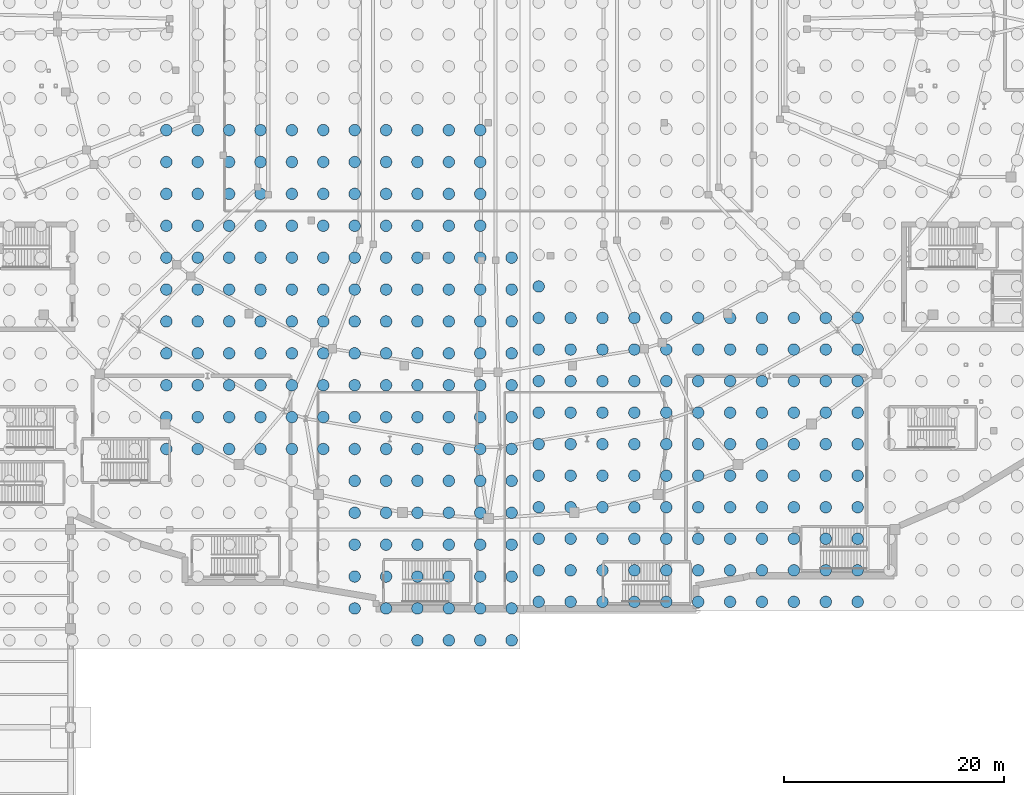
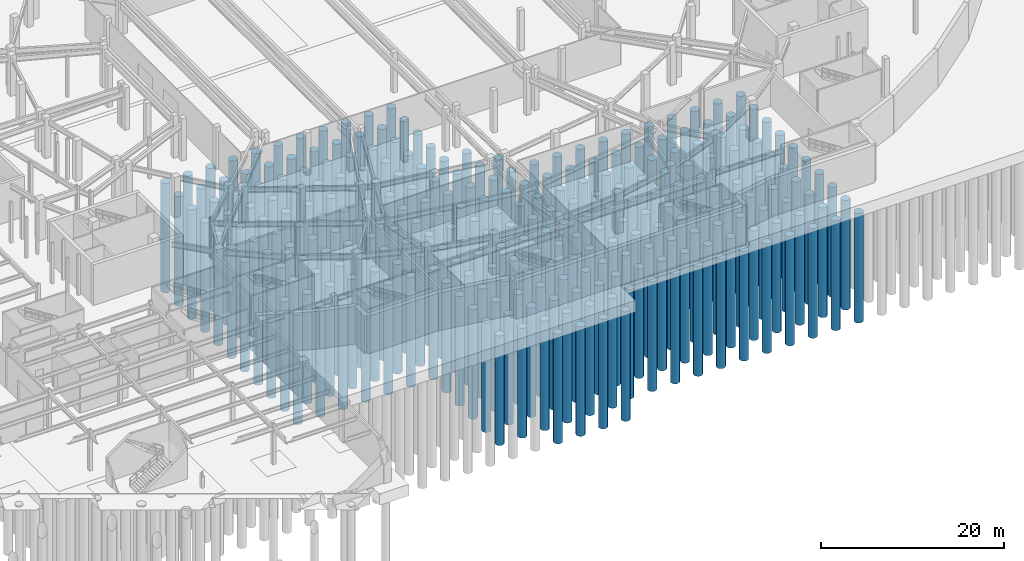
# One storey, part 3 of 56: 273 piles.
"""IFC4 building model written with IfcOpenShell, lengths in metres."""

from ifc_helpers import new_model, si_unit, direction, frame, origin, origin_2d, place, context, subcontext, project, spatial, circle, extrude, material, material_profile, profile_set, type_object, element, save


model = new_model("IFC4")

# Units and contexts
model_context = context("Model", 3, precision=1e-05, world=origin(), true_north=direction((0.0, 1.0)))
body_context = subcontext(model_context, "Body", "Model", "MODEL_VIEW")
ifc_project = project(units=[si_unit("LENGTHUNIT", "METRE"), si_unit("AREAUNIT", "SQUARE_METRE"), si_unit("VOLUMEUNIT", "CUBIC_METRE"), si_unit("PLANEANGLEUNIT", "RADIAN"), si_unit("MASSUNIT", "GRAM", prefix="KILO")], contexts=[model_context])

# Site, building, storey
site_placement = place(None, origin())
site = spatial("IfcSite", under=ifc_project, at=site_placement, CompositionType="ELEMENT")
building_placement = place(site_placement, origin())
building = spatial("IfcBuilding", under=site, at=building_placement, Name="Glasvene Arena", CompositionType="ELEMENT")
storey_placement = place(building_placement, frame((0.0, 0.0, -5.39990234375)))
storey = spatial("IfcBuildingStorey", under=building, at=storey_placement, Name="B1", CompositionType="ELEMENT", Elevation=-5.39990234375)

# Piles
ifc_material = material(Name="Concrete C40/50", Category="concrete")
ifc_material_profile = material_profile(ifc_material, circle(Radius=0.52490234375, at=origin_2d()), Name="BORED PILE 1050")
ifc_profile_set = profile_set([ifc_material_profile], Name="Concrete C40/50")
pile_type = type_object("IfcPileType", Name="PL-BP1050", PredefinedType="BORED", material=ifc_profile_set)
for number, where, z_axis, x_axis, name in (
    (1, (62.70556640625, 34.332275390625, -1.35009765625), (0.0, 0.0, -1.0), (1.0, 0.0, 0.0), "Bored pile 0344"),
    (2, (62.70556640625, 37.2333984375, -1.35009765625), (0.0, 0.0, -1.0), (1.0, 0.0, 0.0), "Bored pile 0345"),
    (3, (62.70556640625, 40.134521484375, -1.35009765625), (0.0, 0.0, -1.0), (1.0, 0.0, 0.0), "Bored pile 0346"),
    (4, (62.70556640625, 43.035888671875, -1.35009765625), (0.0, 0.0, -1.0), (1.0, 0.0, 0.0), "Bored pile 0347"),
    (5, (62.70556640625, 45.93701171875, -1.35009765625), (0.0, 0.0, -1.0), (1.0, 0.0, 0.0), "Bored pile 0348"),
    (6, (62.70556640625, 48.838134765625, -1.35009765625), (0.0, 0.0, -1.0), (1.0, 0.0, 0.0), "Bored pile 0349"),
    (7, (62.70556640625, 51.739501953125, -1.35009765625), (0.0, 0.0, -1.0), (1.0, 0.0, 0.0), "Bored pile 0350"),
    (8, (62.70556640625, 54.640625, -1.35009765625), (0.0, 0.0, -1.0), (1.0, 0.0, 0.0), "Bored pile 0351"),
    (9, (62.70556640625, 57.541748046875, -1.35009765625), (0.0, 0.0, -1.0), (1.0, 0.0, 0.0), "Bored pile 0352"),
    (10, (62.70556640625, 60.443115234375, -1.35009765625), (0.0, 0.0, -1.0), (1.0, 0.0, 0.0), "Bored pile 0353"),
    (11, (62.70556640625, 63.34423828125, -1.35009765625), (0.0, 0.0, -1.0), (1.0, 0.0, 0.0), "Bored pile 0354"),
    (12, (65.561279296875, 34.332275390625, -1.35009765625), (0.0, 0.0, -1.0), (1.0, 0.0, 0.0), "Bored pile 0365"),
    (13, (65.561279296875, 37.2333984375, -1.35009765625), (0.0, 0.0, -1.0), (1.0, 0.0, 0.0), "Bored pile 0366"),
    (14, (65.561279296875, 40.134521484375, -1.35009765625), (0.0, 0.0, -1.0), (1.0, 0.0, 0.0), "Bored pile 0367"),
    (15, (65.561279296875, 43.035888671875, -1.35009765625), (0.0, 0.0, -1.0), (1.0, 0.0, 0.0), "Bored pile 0368"),
    (16, (65.561279296875, 45.93701171875, -1.35009765625), (0.0, 0.0, -1.0), (1.0, 0.0, 0.0), "Bored pile 0369"),
    (17, (65.561279296875, 48.838134765625, -1.35009765625), (0.0, 0.0, -1.0), (1.0, 0.0, 0.0), "Bored pile 0370"),
    (18, (65.561279296875, 51.739501953125, -1.35009765625), (0.0, 0.0, -1.0), (1.0, 0.0, 0.0), "Bored pile 0371"),
    (19, (65.561279296875, 54.640625, -1.35009765625), (0.0, 0.0, -1.0), (1.0, 0.0, 0.0), "Bored pile 0372"),
    (20, (65.561279296875, 57.541748046875, -1.35009765625), (0.0, 0.0, -1.0), (1.0, 0.0, 0.0), "Bored pile 0373"),
    (21, (65.561279296875, 60.443115234375, -1.35009765625), (0.0, 0.0, -1.0), (1.0, 0.0, 0.0), "Bored pile 0374"),
    (22, (65.561279296875, 63.34423828125, -1.35009765625), (0.0, 0.0, -1.0), (1.0, 0.0, 0.0), "Bored pile 0375"),
    (23, (68.417236328125, 34.332275390625, -1.35009765625), (0.0, 0.0, -1.0), (1.0, 0.0, 0.0), "Bored pile 0386"),
    (24, (68.417236328125, 37.2333984375, -1.35009765625), (0.0, 0.0, -1.0), (1.0, 0.0, 0.0), "Bored pile 0387"),
    (25, (68.417236328125, 40.134521484375, -1.35009765625), (0.0, 0.0, -1.0), (1.0, 0.0, 0.0), "Bored pile 0388"),
    (26, (68.417236328125, 43.035888671875, -1.35009765625), (0.0, 0.0, -1.0), (1.0, 0.0, 0.0), "Bored pile 0389"),
    (27, (68.417236328125, 45.93701171875, -1.35009765625), (0.0, 0.0, -1.0), (1.0, 0.0, 0.0), "Bored pile 0390"),
    (28, (68.417236328125, 48.838134765625, -1.35009765625), (0.0, 0.0, -1.0), (1.0, 0.0, 0.0), "Bored pile 0391"),
    (29, (68.417236328125, 51.739501953125, -1.35009765625), (0.0, 0.0, -1.0), (1.0, 0.0, 0.0), "Bored pile 0392"),
    (30, (68.417236328125, 54.640625, -1.35009765625), (0.0, 0.0, -1.0), (1.0, 0.0, 0.0), "Bored pile 0393"),
    (31, (68.417236328125, 57.541748046875, -1.35009765625), (0.0, 0.0, -1.0), (1.0, 0.0, 0.0), "Bored pile 0394"),
    (32, (68.417236328125, 60.443115234375, -1.35009765625), (0.0, 0.0, -1.0), (1.0, 0.0, 0.0), "Bored pile 0395"),
    (33, (68.417236328125, 63.34423828125, -1.35009765625), (0.0, 0.0, -1.0), (1.0, 0.0, 0.0), "Bored pile 0396"),
    (34, (71.27294921875, 34.332275390625, -1.35009765625), (0.0, 0.0, -1.0), (1.0, 0.0, 0.0), "Bored pile 0407"),
    (35, (71.27294921875, 37.2333984375, -1.35009765625), (0.0, 0.0, -1.0), (1.0, 0.0, 0.0), "Bored pile 0408"),
    (36, (71.27294921875, 40.134521484375, -1.35009765625), (0.0, 0.0, -1.0), (1.0, 0.0, 0.0), "Bored pile 0409"),
    (37, (71.27294921875, 43.035888671875, -1.35009765625), (0.0, 0.0, -1.0), (1.0, 0.0, 0.0), "Bored pile 0410"),
    (38, (71.27294921875, 45.93701171875, -1.35009765625), (0.0, 0.0, -1.0), (1.0, 0.0, 0.0), "Bored pile 0411"),
    (39, (71.27294921875, 48.838134765625, -1.35009765625), (0.0, 0.0, -1.0), (1.0, 0.0, 0.0), "Bored pile 0412"),
    (40, (71.27294921875, 51.739501953125, -1.35009765625), (0.0, 0.0, -1.0), (1.0, 0.0, 0.0), "Bored pile 0413"),
    (41, (71.27294921875, 54.640625, -1.35009765625), (0.0, 0.0, -1.0), (1.0, 0.0, 0.0), "Bored pile 0414"),
    (42, (71.27294921875, 57.541748046875, -1.35009765625), (0.0, 0.0, -1.0), (1.0, 0.0, 0.0), "Bored pile 0415"),
    (43, (71.27294921875, 60.443115234375, -1.35009765625), (0.0, 0.0, -1.0), (1.0, 0.0, 0.0), "Bored pile 0416"),
    (44, (71.27294921875, 63.34423828125, -1.35009765625), (0.0, 0.0, -1.0), (1.0, 0.0, 0.0), "Bored pile 0417"),
    (45, (74.128662109375, 34.332275390625, -1.35009765625), (0.0, 0.0, -1.0), (1.0, 0.0, 0.0), "Bored pile 0428"),
    (46, (74.128662109375, 37.2333984375, -1.35009765625), (0.0, 0.0, -1.0), (1.0, 0.0, 0.0), "Bored pile 0429"),
    (47, (74.128662109375, 40.134521484375, -1.35009765625), (0.0, 0.0, -1.0), (1.0, 0.0, 0.0), "Bored pile 0430"),
    (48, (74.128662109375, 43.035888671875, -1.35009765625), (0.0, 0.0, -1.0), (1.0, 0.0, 0.0), "Bored pile 0431"),
    (49, (74.128662109375, 45.93701171875, -1.35009765625), (0.0, 0.0, -1.0), (1.0, 0.0, 0.0), "Bored pile 0432"),
    (50, (74.128662109375, 48.838134765625, -1.35009765625), (0.0, 0.0, -1.0), (1.0, 0.0, 0.0), "Bored pile 0433"),
    (51, (74.128662109375, 51.739501953125, -1.35009765625), (0.0, 0.0, -1.0), (1.0, 0.0, 0.0), "Bored pile 0434"),
    (52, (74.128662109375, 54.640625, -1.35009765625), (0.0, 0.0, -1.0), (1.0, 0.0, 0.0), "Bored pile 0435"),
    (53, (74.128662109375, 57.541748046875, -1.35009765625), (0.0, 0.0, -1.0), (1.0, 0.0, 0.0), "Bored pile 0436"),
    (54, (74.128662109375, 60.443115234375, -1.35009765625), (0.0, 0.0, -1.0), (1.0, 0.0, 0.0), "Bored pile 0437"),
    (55, (74.128662109375, 63.34423828125, -1.35009765625), (0.0, 0.0, -1.0), (1.0, 0.0, 0.0), "Bored pile 0438"),
    (56, (76.984375, 34.332275390625, -1.35009765625), (0.0, 0.0, -1.0), (1.0, 0.0, 0.0), "Bored pile 0449"),
    (57, (76.984375, 37.2333984375, -1.35009765625), (0.0, 0.0, -1.0), (1.0, 0.0, 0.0), "Bored pile 0450"),
    (58, (76.984375, 40.134521484375, -1.35009765625), (0.0, 0.0, -1.0), (1.0, 0.0, 0.0), "Bored pile 0451"),
    (59, (76.984375, 43.035888671875, -1.35009765625), (0.0, 0.0, -1.0), (1.0, 0.0, 0.0), "Bored pile 0452"),
    (60, (76.984375, 45.93701171875, -1.35009765625), (0.0, 0.0, -1.0), (1.0, 0.0, 0.0), "Bored pile 0453"),
    (61, (76.984375, 48.838134765625, -1.35009765625), (0.0, 0.0, -1.0), (1.0, 0.0, 0.0), "Bored pile 0454"),
    (62, (76.984375, 51.739501953125, -1.35009765625), (0.0, 0.0, -1.0), (1.0, 0.0, 0.0), "Bored pile 0455"),
    (63, (76.984375, 54.640625, -1.35009765625), (0.0, 0.0, -1.0), (1.0, 0.0, 0.0), "Bored pile 0456"),
    (64, (76.984375, 57.541748046875, -1.35009765625), (0.0, 0.0, -1.0), (1.0, 0.0, 0.0), "Bored pile 0457"),
    (65, (76.984375, 60.443115234375, -1.35009765625), (0.0, 0.0, -1.0), (1.0, 0.0, 0.0), "Bored pile 0458"),
    (66, (76.984375, 63.34423828125, -1.35009765625), (0.0, 0.0, -1.0), (1.0, 0.0, 0.0), "Bored pile 0459"),
    (67, (79.840087890625, 19.826171875, -1.35009765625), (0.0, 0.0, -1.0), (1.0, 0.0, 0.0), "Bored pile 0465"),
    (68, (79.840087890625, 22.727294921875, -1.35009765625), (0.0, 0.0, -1.0), (1.0, 0.0, 0.0), "Bored pile 0466"),
    (69, (79.840087890625, 25.628662109375, -1.35009765625), (0.0, 0.0, -1.0), (1.0, 0.0, 0.0), "Bored pile 0467"),
    (70, (79.840087890625, 28.52978515625, -1.35009765625), (0.0, 0.0, -1.0), (1.0, 0.0, 0.0), "Bored pile 0468"),
    (71, (79.840087890625, 31.430908203125, -1.35009765625), (0.0, 0.0, -1.0), (1.0, 0.0, 0.0), "Bored pile 0469"),
    (72, (79.840087890625, 34.332275390625, -1.35009765625), (0.0, 0.0, -1.0), (1.0, 0.0, 0.0), "Bored pile 0470"),
    (73, (79.840087890625, 37.2333984375, -1.35009765625), (0.0, 0.0, -1.0), (1.0, 0.0, 0.0), "Bored pile 0471"),
    (74, (79.840087890625, 40.134521484375, -1.35009765625), (0.0, 0.0, -1.0), (1.0, 0.0, 0.0), "Bored pile 0472"),
    (75, (79.840087890625, 43.035888671875, -1.35009765625), (0.0, 0.0, -1.0), (1.0, 0.0, 0.0), "Bored pile 0473"),
    (76, (79.840087890625, 45.93701171875, -1.35009765625), (0.0, 0.0, -1.0), (1.0, 0.0, 0.0), "Bored pile 0474"),
    (77, (79.840087890625, 48.838134765625, -1.35009765625), (0.0, 0.0, -1.0), (1.0, 0.0, 0.0), "Bored pile 0475"),
    (78, (79.840087890625, 51.739501953125, -1.35009765625), (0.0, 0.0, -1.0), (1.0, 0.0, 0.0), "Bored pile 0476"),
    (79, (79.840087890625, 54.640625, -1.35009765625), (0.0, 0.0, -1.0), (1.0, 0.0, 0.0), "Bored pile 0477"),
    (80, (79.840087890625, 57.541748046875, -1.35009765625), (0.0, 0.0, -1.0), (1.0, 0.0, 0.0), "Bored pile 0478"),
    (81, (79.840087890625, 60.443115234375, -1.35009765625), (0.0, 0.0, -1.0), (1.0, 0.0, 0.0), "Bored pile 0479"),
    (82, (79.840087890625, 63.34423828125, -1.35009765625), (0.0, 0.0, -1.0), (1.0, 0.0, 0.0), "Bored pile 0480"),
    (83, (82.696044921875, 19.826171875, -1.35009765625), (0.0, 0.0, -1.0), (1.0, 0.0, 0.0), "Bored pile 0486"),
    (84, (82.696044921875, 22.727294921875, -1.35009765625), (0.0, 0.0, -1.0), (1.0, 0.0, 0.0), "Bored pile 0487"),
    (85, (82.696044921875, 25.628662109375, -1.35009765625), (0.0, 0.0, -1.0), (1.0, 0.0, 0.0), "Bored pile 0488"),
    (86, (82.696044921875, 28.52978515625, -1.35009765625), (0.0, 0.0, -1.0), (1.0, 0.0, 0.0), "Bored pile 0489"),
    (87, (82.696044921875, 31.430908203125, -1.35009765625), (0.0, 0.0, -1.0), (1.0, 0.0, 0.0), "Bored pile 0490"),
    (88, (82.696044921875, 34.332275390625, -1.35009765625), (0.0, 0.0, -1.0), (1.0, 0.0, 0.0), "Bored pile 0491"),
    (89, (82.696044921875, 37.2333984375, -1.35009765625), (0.0, 0.0, -1.0), (1.0, 0.0, 0.0), "Bored pile 0492"),
    (90, (82.696044921875, 40.134521484375, -1.35009765625), (0.0, 0.0, -1.0), (1.0, 0.0, 0.0), "Bored pile 0493"),
    (91, (82.696044921875, 43.035888671875, -1.35009765625), (0.0, 0.0, -1.0), (1.0, 0.0, 0.0), "Bored pile 0494"),
    (92, (82.696044921875, 45.93701171875, -1.35009765625), (0.0, 0.0, -1.0), (1.0, 0.0, 0.0), "Bored pile 0495"),
    (93, (82.696044921875, 48.838134765625, -1.35009765625), (0.0, 0.0, -1.0), (1.0, 0.0, 0.0), "Bored pile 0496"),
    (94, (82.696044921875, 51.739501953125, -1.35009765625), (0.0, 0.0, -1.0), (1.0, 0.0, 0.0), "Bored pile 0497"),
    (95, (82.696044921875, 54.640625, -1.35009765625), (0.0, 0.0, -1.0), (1.0, 0.0, 0.0), "Bored pile 0498"),
    (96, (82.696044921875, 57.541748046875, -1.35009765625), (0.0, 0.0, -1.0), (1.0, 0.0, 0.0), "Bored pile 0499"),
    (97, (82.696044921875, 60.443115234375, -1.35009765625), (0.0, 0.0, -1.0), (1.0, 0.0, 0.0), "Bored pile 0500"),
    (98, (82.696044921875, 63.34423828125, -1.35009765625), (0.0, 0.0, -1.0), (1.0, 0.0, 0.0), "Bored pile 0501"),
    (99, (85.5517578125, 16.925048828125, -1.35009765625), (0.0, 0.0, -1.0), (1.0, 0.0, 0.0), "Bored pile 0506"),
    (100, (85.5517578125, 19.826171875, -1.35009765625), (0.0, 0.0, -1.0), (1.0, 0.0, 0.0), "Bored pile 0507"),
    (101, (85.5517578125, 22.727294921875, -1.35009765625), (0.0, 0.0, -1.0), (1.0, 0.0, 0.0), "Bored pile 0508"),
    (102, (85.5517578125, 25.628662109375, -1.35009765625), (0.0, 0.0, -1.0), (1.0, 0.0, 0.0), "Bored pile 0509"),
    (103, (85.5517578125, 28.52978515625, -1.35009765625), (0.0, 0.0, -1.0), (1.0, 0.0, 0.0), "Bored pile 0510"),
    (104, (85.5517578125, 31.430908203125, -1.35009765625), (0.0, 0.0, -1.0), (1.0, 0.0, 0.0), "Bored pile 0511"),
    (105, (85.5517578125, 34.332275390625, -1.35009765625), (0.0, 0.0, -1.0), (1.0, 0.0, 0.0), "Bored pile 0512"),
    (106, (85.5517578125, 37.2333984375, -1.35009765625), (0.0, 0.0, -1.0), (1.0, 0.0, 0.0), "Bored pile 0513"),
    (107, (85.5517578125, 40.134521484375, -1.35009765625), (0.0, 0.0, -1.0), (1.0, 0.0, 0.0), "Bored pile 0514"),
    (108, (85.5517578125, 43.035888671875, -1.35009765625), (0.0, 0.0, -1.0), (1.0, 0.0, 0.0), "Bored pile 0515"),
    (109, (85.5517578125, 45.93701171875, -1.35009765625), (0.0, 0.0, -1.0), (1.0, 0.0, 0.0), "Bored pile 0516"),
    (110, (85.5517578125, 48.838134765625, -1.35009765625), (0.0, 0.0, -1.0), (1.0, 0.0, 0.0), "Bored pile 0517"),
    (111, (85.5517578125, 51.739501953125, -1.35009765625), (0.0, 0.0, -1.0), (1.0, 0.0, 0.0), "Bored pile 0518"),
    (112, (85.5517578125, 54.640625, -1.35009765625), (0.0, 0.0, -1.0), (1.0, 0.0, 0.0), "Bored pile 0519"),
    (113, (85.5517578125, 57.541748046875, -1.35009765625), (0.0, 0.0, -1.0), (1.0, 0.0, 0.0), "Bored pile 0520"),
    (114, (85.5517578125, 60.443115234375, -1.35009765625), (0.0, 0.0, -1.0), (1.0, 0.0, 0.0), "Bored pile 0521"),
    (115, (85.5517578125, 63.34423828125, -1.35009765625), (0.0, 0.0, -1.0), (1.0, 0.0, 0.0), "Bored pile 0522"),
    (116, (88.407470703125, 16.925048828125, -1.35009765625), (0.0, 0.0, -1.0), (1.0, 0.0, 0.0), "Bored pile 0527"),
    (117, (88.407470703125, 19.826171875, -1.35009765625), (0.0, 0.0, -1.0), (1.0, 0.0, 0.0), "Bored pile 0528"),
    (118, (88.407470703125, 22.727294921875, -1.35009765625), (0.0, 0.0, -1.0), (1.0, 0.0, 0.0), "Bored pile 0529"),
    (119, (88.407470703125, 25.628662109375, -1.35009765625), (0.0, 0.0, -1.0), (1.0, 0.0, 0.0), "Bored pile 0530"),
    (120, (88.407470703125, 28.52978515625, -1.35009765625), (0.0, 0.0, -1.0), (1.0, 0.0, 0.0), "Bored pile 0531"),
    (121, (88.407470703125, 31.430908203125, -1.35009765625), (0.0, 0.0, -1.0), (1.0, 0.0, 0.0), "Bored pile 0532"),
    (122, (88.407470703125, 34.332275390625, -1.35009765625), (0.0, 0.0, -1.0), (1.0, 0.0, 0.0), "Bored pile 0533"),
    (123, (88.407470703125, 37.2333984375, -1.35009765625), (0.0, 0.0, -1.0), (1.0, 0.0, 0.0), "Bored pile 0534"),
    (124, (88.407470703125, 40.134521484375, -1.35009765625), (0.0, 0.0, -1.0), (1.0, 0.0, 0.0), "Bored pile 0535"),
    (125, (88.407470703125, 43.035888671875, -1.35009765625), (0.0, 0.0, -1.0), (1.0, 0.0, 0.0), "Bored pile 0536"),
    (126, (88.407470703125, 45.93701171875, -1.35009765625), (0.0, 0.0, -1.0), (1.0, 0.0, 0.0), "Bored pile 0537"),
    (127, (88.407470703125, 48.838134765625, -1.35009765625), (0.0, 0.0, -1.0), (1.0, 0.0, 0.0), "Bored pile 0538"),
    (128, (88.407470703125, 51.739501953125, -1.35009765625), (0.0, 0.0, -1.0), (1.0, 0.0, 0.0), "Bored pile 0539"),
    (129, (88.407470703125, 54.640625, -1.35009765625), (0.0, 0.0, -1.0), (1.0, 0.0, 0.0), "Bored pile 0540"),
    (130, (88.407470703125, 57.541748046875, -1.35009765625), (0.0, 0.0, -1.0), (1.0, 0.0, 0.0), "Bored pile 0541"),
    (131, (88.407470703125, 60.443115234375, -1.35009765625), (0.0, 0.0, -1.0), (1.0, 0.0, 0.0), "Bored pile 0542"),
    (132, (88.407470703125, 63.34423828125, -1.35009765625), (0.0, 0.0, -1.0), (1.0, 0.0, 0.0), "Bored pile 0543"),
    (133, (91.26318359375, 16.925048828125, -1.35009765625), (0.0, 0.0, -1.0), (1.0, 0.0, 0.0), "Bored pile 0548"),
    (134, (91.26318359375, 19.826171875, -1.35009765625), (0.0, 0.0, -1.0), (1.0, 0.0, 0.0), "Bored pile 0549"),
    (135, (91.26318359375, 22.727294921875, -1.35009765625), (0.0, 0.0, -1.0), (1.0, 0.0, 0.0), "Bored pile 0550"),
    (136, (91.26318359375, 25.628662109375, -1.35009765625), (0.0, 0.0, -1.0), (1.0, 0.0, 0.0), "Bored pile 0551"),
    (137, (91.26318359375, 28.52978515625, -1.35009765625), (0.0, 0.0, -1.0), (1.0, 0.0, 0.0), "Bored pile 0552"),
    (138, (91.26318359375, 31.430908203125, -1.35009765625), (0.0, 0.0, -1.0), (1.0, 0.0, 0.0), "Bored pile 0553"),
    (139, (91.26318359375, 34.332275390625, -1.35009765625), (0.0, 0.0, -1.0), (1.0, 0.0, 0.0), "Bored pile 0554"),
    (140, (91.26318359375, 37.2333984375, -1.35009765625), (0.0, 0.0, -1.0), (1.0, 0.0, 0.0), "Bored pile 0555"),
    (141, (91.26318359375, 40.134521484375, -1.35009765625), (0.0, 0.0, -1.0), (1.0, 0.0, 0.0), "Bored pile 0556"),
    (142, (91.26318359375, 43.035888671875, -1.35009765625), (0.0, 0.0, -1.0), (1.0, 0.0, 0.0), "Bored pile 0557"),
    (143, (91.26318359375, 45.93701171875, -1.35009765625), (0.0, 0.0, -1.0), (1.0, 0.0, 0.0), "Bored pile 0558"),
    (144, (91.26318359375, 48.838134765625, -1.35009765625), (0.0, 0.0, -1.0), (1.0, 0.0, 0.0), "Bored pile 0559"),
    (145, (91.26318359375, 51.739501953125, -1.35009765625), (0.0, 0.0, -1.0), (1.0, 0.0, 0.0), "Bored pile 0560"),
    (146, (91.26318359375, 54.640625, -1.35009765625), (0.0, 0.0, -1.0), (1.0, 0.0, 0.0), "Bored pile 0561"),
    (147, (91.26318359375, 57.541748046875, -1.35009765625), (0.0, 0.0, -1.0), (1.0, 0.0, 0.0), "Bored pile 0562"),
    (148, (91.26318359375, 60.443115234375, -1.35009765625), (0.0, 0.0, -1.0), (1.0, 0.0, 0.0), "Bored pile 0563"),
    (149, (91.26318359375, 63.34423828125, -1.35009765625), (0.0, 0.0, -1.0), (1.0, 0.0, 0.0), "Bored pile 0564"),
    (150, (94.118896484375, 16.925048828125, -1.35009765625), (0.0, 0.0, -1.0), (1.0, 0.0, 0.0), "Bored pile 0569"),
    (151, (94.118896484375, 19.826171875, -1.35009765625), (0.0, 0.0, -1.0), (1.0, 0.0, 0.0), "Bored pile 0570"),
    (152, (94.118896484375, 22.727294921875, -1.35009765625), (0.0, 0.0, -1.0), (1.0, 0.0, 0.0), "Bored pile 0571"),
    (153, (94.118896484375, 25.628662109375, -1.35009765625), (0.0, 0.0, -1.0), (1.0, 0.0, 0.0), "Bored pile 0572"),
    (154, (94.118896484375, 28.52978515625, -1.35009765625), (0.0, 0.0, -1.0), (1.0, 0.0, 0.0), "Bored pile 0573"),
    (155, (94.118896484375, 31.430908203125, -1.35009765625), (0.0, 0.0, -1.0), (1.0, 0.0, 0.0), "Bored pile 0574"),
    (156, (94.118896484375, 34.332275390625, -1.35009765625), (0.0, 0.0, -1.0), (1.0, 0.0, 0.0), "Bored pile 0575"),
    (157, (94.118896484375, 37.2333984375, -1.35009765625), (0.0, 0.0, -1.0), (1.0, 0.0, 0.0), "Bored pile 0576"),
    (158, (94.118896484375, 40.134521484375, -1.35009765625), (0.0, 0.0, -1.0), (1.0, 0.0, 0.0), "Bored pile 0577"),
    (159, (94.118896484375, 43.035888671875, -1.35009765625), (0.0, 0.0, -1.0), (1.0, 0.0, 0.0), "Bored pile 0578"),
    (160, (94.118896484375, 45.93701171875, -1.35009765625), (0.0, 0.0, -1.0), (1.0, 0.0, 0.0), "Bored pile 0579"),
    (161, (94.118896484375, 48.838134765625, -1.35009765625), (0.0, 0.0, -1.0), (1.0, 0.0, 0.0), "Bored pile 0580"),
    (162, (94.118896484375, 51.739501953125, -1.35009765625), (0.0, 0.0, -1.0), (1.0, 0.0, 0.0), "Bored pile 0581"),
    (163, (96.5830078125, 20.425048828125, -1.35009765625), (0.0, 0.0, -1.0), (1.0, 0.0, 0.0), "Bored pile 0590"),
    (164, (96.5830078125, 23.294677734375, -1.35009765625), (0.0, 0.0, -1.0), (1.0, 0.0, 0.0), "Bored pile 0591"),
    (165, (96.5830078125, 26.164306640625, -1.35009765625), (0.0, 0.0, -1.0), (1.0, 0.0, 0.0), "Bored pile 0592"),
    (166, (96.5830078125, 29.0341796875, -1.35009765625), (0.0, 0.0, -1.0), (1.0, 0.0, 0.0), "Bored pile 0593"),
    (167, (96.5830078125, 31.90380859375, -1.35009765625), (0.0, 0.0, -1.0), (1.0, 0.0, 0.0), "Bored pile 0594"),
    (168, (96.5830078125, 34.7734375, -1.35009765625), (0.0, 0.0, -1.0), (1.0, 0.0, 0.0), "Bored pile 0595"),
    (169, (96.5830078125, 37.64306640625, -1.35009765625), (0.0, 0.0, -1.0), (1.0, 0.0, 0.0), "Bored pile 0596"),
    (170, (96.5830078125, 40.5126953125, -1.35009765625), (0.0, 0.0, -1.0), (1.0, 0.0, 0.0), "Bored pile 0597"),
    (171, (96.5830078125, 43.382568359375, -1.35009765625), (0.0, 0.0, -1.0), (1.0, 0.0, 0.0), "Bored pile 0598"),
    (172, (96.5830078125, 46.252197265625, -1.35009765625), (0.0, 0.0, -1.0), (1.0, 0.0, 0.0), "Bored pile 0599"),
    (173, (96.5830078125, 49.121826171875, -1.35009765625), (0.0, 0.0, -1.0), (1.0, 0.0, 0.0), "Bored pile 0600"),
    (174, (99.48486328125, 20.425048828125, -1.35009765625), (0.0, 0.0, -1.0), (1.0, 0.0, 0.0), "Bored pile 0610"),
    (175, (99.48486328125, 23.294677734375, -1.35009765625), (0.0, 0.0, -1.0), (1.0, 0.0, 0.0), "Bored pile 0611"),
    (176, (99.48486328125, 26.164306640625, -1.35009765625), (0.0, 0.0, -1.0), (1.0, 0.0, 0.0), "Bored pile 0612"),
    (177, (99.48486328125, 29.0341796875, -1.35009765625), (0.0, 0.0, -1.0), (1.0, 0.0, 0.0), "Bored pile 0613"),
    (178, (99.48486328125, 31.90380859375, -1.35009765625), (0.0, 0.0, -1.0), (1.0, 0.0, 0.0), "Bored pile 0614"),
    (179, (99.48486328125, 34.7734375, -1.35009765625), (0.0, 0.0, -1.0), (1.0, 0.0, 0.0), "Bored pile 0615"),
    (180, (99.48486328125, 37.64306640625, -1.35009765625), (0.0, 0.0, -1.0), (1.0, 0.0, 0.0), "Bored pile 0616"),
    (181, (99.48486328125, 40.5126953125, -1.35009765625), (0.0, 0.0, -1.0), (1.0, 0.0, 0.0), "Bored pile 0617"),
    (182, (99.48486328125, 43.382568359375, -1.35009765625), (0.0, 0.0, -1.0), (1.0, 0.0, 0.0), "Bored pile 0618"),
    (183, (99.48486328125, 46.252197265625, -1.35009765625), (0.0, 0.0, -1.0), (1.0, 0.0, 0.0), "Bored pile 0619"),
    (184, (102.38671875, 20.425048828125, -1.35009765625), (0.0, 0.0, -1.0), (1.0, 0.0, 0.0), "Bored pile 0630"),
    (185, (102.38671875, 23.294677734375, -1.35009765625), (0.0, 0.0, -1.0), (1.0, 0.0, 0.0), "Bored pile 0631"),
    (186, (102.38671875, 26.164306640625, -1.35009765625), (0.0, 0.0, -1.0), (1.0, 0.0, 0.0), "Bored pile 0632"),
    (187, (102.38671875, 29.0341796875, -1.35009765625), (0.0, 0.0, -1.0), (1.0, 0.0, 0.0), "Bored pile 0633"),
    (188, (102.38671875, 31.90380859375, -1.35009765625), (0.0, 0.0, -1.0), (1.0, 0.0, 0.0), "Bored pile 0634"),
    (189, (102.38671875, 34.7734375, -1.35009765625), (0.0, 0.0, -1.0), (1.0, 0.0, 0.0), "Bored pile 0635"),
    (190, (102.38671875, 37.64306640625, -1.35009765625), (0.0, 0.0, -1.0), (1.0, 0.0, 0.0), "Bored pile 0636"),
    (191, (102.38671875, 40.5126953125, -1.35009765625), (0.0, 0.0, -1.0), (1.0, 0.0, 0.0), "Bored pile 0637"),
    (192, (102.38671875, 43.382568359375, -1.35009765625), (0.0, 0.0, -1.0), (1.0, 0.0, 0.0), "Bored pile 0638"),
    (193, (102.38671875, 46.252197265625, -1.35009765625), (0.0, 0.0, -1.0), (1.0, 0.0, 0.0), "Bored pile 0639"),
    (194, (105.288818359375, 20.425048828125, -1.35009765625), (0.0, 0.0, -1.0), (1.0, 0.0, 0.0), "Bored pile 0650"),
    (195, (105.288818359375, 23.294677734375, -1.35009765625), (0.0, 0.0, -1.0), (1.0, 0.0, 0.0), "Bored pile 0651"),
    (196, (105.288818359375, 26.164306640625, -1.35009765625), (0.0, 0.0, -1.0), (1.0, 0.0, 0.0), "Bored pile 0652"),
    (197, (105.288818359375, 29.0341796875, -1.35009765625), (0.0, 0.0, -1.0), (1.0, 0.0, 0.0), "Bored pile 0653"),
    (198, (105.288818359375, 31.90380859375, -1.35009765625), (0.0, 0.0, -1.0), (1.0, 0.0, 0.0), "Bored pile 0654"),
    (199, (105.288818359375, 34.7734375, -1.35009765625), (0.0, 0.0, -1.0), (1.0, 0.0, 0.0), "Bored pile 0655"),
    (200, (105.288818359375, 37.64306640625, -1.35009765625), (0.0, 0.0, -1.0), (1.0, 0.0, 0.0), "Bored pile 0656"),
    (201, (105.288818359375, 40.5126953125, -1.35009765625), (0.0, 0.0, -1.0), (1.0, 0.0, 0.0), "Bored pile 0657"),
    (202, (105.288818359375, 43.382568359375, -1.35009765625), (0.0, 0.0, -1.0), (1.0, 0.0, 0.0), "Bored pile 0658"),
    (203, (105.288818359375, 46.252197265625, -1.35009765625), (0.0, 0.0, -1.0), (1.0, 0.0, 0.0), "Bored pile 0659"),
    (204, (108.190673828125, 20.425048828125, -1.35009765625), (0.0, 0.0, -1.0), (1.0, 0.0, 0.0), "Bored pile 0670"),
    (205, (108.190673828125, 23.294677734375, -1.35009765625), (0.0, 0.0, -1.0), (1.0, 0.0, 0.0), "Bored pile 0671"),
    (206, (108.190673828125, 26.164306640625, -1.35009765625), (0.0, 0.0, -1.0), (1.0, 0.0, 0.0), "Bored pile 0672"),
    (207, (108.190673828125, 29.0341796875, -1.35009765625), (0.0, 0.0, -1.0), (1.0, 0.0, 0.0), "Bored pile 0673"),
    (208, (108.190673828125, 31.90380859375, -1.35009765625), (0.0, 0.0, -1.0), (1.0, 0.0, 0.0), "Bored pile 0674"),
    (209, (108.190673828125, 34.7734375, -1.35009765625), (0.0, 0.0, -1.0), (1.0, 0.0, 0.0), "Bored pile 0675"),
    (210, (108.190673828125, 37.64306640625, -1.35009765625), (0.0, 0.0, -1.0), (1.0, 0.0, 0.0), "Bored pile 0676"),
    (211, (108.190673828125, 40.5126953125, -1.35009765625), (0.0, 0.0, -1.0), (1.0, 0.0, 0.0), "Bored pile 0677"),
    (212, (108.190673828125, 43.382568359375, -1.35009765625), (0.0, 0.0, -1.0), (1.0, 0.0, 0.0), "Bored pile 0678"),
    (213, (108.190673828125, 46.252197265625, -1.35009765625), (0.0, 0.0, -1.0), (1.0, 0.0, 0.0), "Bored pile 0679"),
    (214, (111.092529296875, 20.425048828125, -1.35009765625), (0.0, 0.0, -1.0), (1.0, 0.0, 0.0), "Bored pile 0690"),
    (215, (111.092529296875, 23.294677734375, -1.35009765625), (0.0, 0.0, -1.0), (1.0, 0.0, 0.0), "Bored pile 0691"),
    (216, (111.092529296875, 26.164306640625, -1.35009765625), (0.0, 0.0, -1.0), (1.0, 0.0, 0.0), "Bored pile 0692"),
    (217, (111.092529296875, 29.0341796875, -1.35009765625), (0.0, 0.0, -1.0), (1.0, 0.0, 0.0), "Bored pile 0693"),
    (218, (111.092529296875, 31.90380859375, -1.35009765625), (0.0, 0.0, -1.0), (1.0, 0.0, 0.0), "Bored pile 0694"),
    (219, (111.092529296875, 34.7734375, -1.35009765625), (0.0, 0.0, -1.0), (1.0, 0.0, 0.0), "Bored pile 0695"),
    (220, (111.092529296875, 37.64306640625, -1.35009765625), (0.0, 0.0, -1.0), (1.0, 0.0, 0.0), "Bored pile 0696"),
    (221, (111.092529296875, 40.5126953125, -1.35009765625), (0.0, 0.0, -1.0), (1.0, 0.0, 0.0), "Bored pile 0697"),
    (222, (111.092529296875, 43.382568359375, -1.35009765625), (0.0, 0.0, -1.0), (1.0, 0.0, 0.0), "Bored pile 0698"),
    (223, (111.092529296875, 46.252197265625, -1.35009765625), (0.0, 0.0, -1.0), (1.0, 0.0, 0.0), "Bored pile 0699"),
    (224, (113.994384765625, 20.425048828125, -1.35009765625), (0.0, 0.0, -1.0), (1.0, 0.0, 0.0), "Bored pile 0710"),
    (225, (113.994384765625, 23.294677734375, -1.35009765625), (0.0, 0.0, -1.0), (1.0, 0.0, 0.0), "Bored pile 0711"),
    (226, (113.994384765625, 26.164306640625, -1.35009765625), (0.0, 0.0, -1.0), (1.0, 0.0, 0.0), "Bored pile 0712"),
    (227, (113.994384765625, 29.0341796875, -1.35009765625), (0.0, 0.0, -1.0), (1.0, 0.0, 0.0), "Bored pile 0713"),
    (228, (113.994384765625, 31.90380859375, -1.35009765625), (0.0, 0.0, -1.0), (1.0, 0.0, 0.0), "Bored pile 0714"),
    (229, (113.994384765625, 34.7734375, -1.35009765625), (0.0, 0.0, -1.0), (1.0, 0.0, 0.0), "Bored pile 0715"),
    (230, (113.994384765625, 37.64306640625, -1.35009765625), (0.0, 0.0, -1.0), (1.0, 0.0, 0.0), "Bored pile 0716"),
    (231, (113.994384765625, 40.5126953125, -1.35009765625), (0.0, 0.0, -1.0), (1.0, 0.0, 0.0), "Bored pile 0717"),
    (232, (113.994384765625, 43.382568359375, -1.35009765625), (0.0, 0.0, -1.0), (1.0, 0.0, 0.0), "Bored pile 0718"),
    (233, (113.994384765625, 46.252197265625, -1.35009765625), (0.0, 0.0, -1.0), (1.0, 0.0, 0.0), "Bored pile 0719"),
    (234, (116.896484375, 20.425048828125, -1.35009765625), (0.0, 0.0, -1.0), (1.0, 0.0, 0.0), "Bored pile 0730"),
    (235, (116.896484375, 23.294677734375, -1.35009765625), (0.0, 0.0, -1.0), (1.0, 0.0, 0.0), "Bored pile 0731"),
    (236, (116.896484375, 26.164306640625, -1.35009765625), (0.0, 0.0, -1.0), (1.0, 0.0, 0.0), "Bored pile 0732"),
    (237, (116.896484375, 29.0341796875, -1.35009765625), (0.0, 0.0, -1.0), (1.0, 0.0, 0.0), "Bored pile 0733"),
    (238, (116.896484375, 31.90380859375, -1.35009765625), (0.0, 0.0, -1.0), (1.0, 0.0, 0.0), "Bored pile 0734"),
    (239, (116.896484375, 34.7734375, -1.35009765625), (0.0, 0.0, -1.0), (1.0, 0.0, 0.0), "Bored pile 0735"),
    (240, (116.896484375, 37.64306640625, -1.35009765625), (0.0, 0.0, -1.0), (1.0, 0.0, 0.0), "Bored pile 0736"),
    (241, (116.896484375, 40.5126953125, -1.35009765625), (0.0, 0.0, -1.0), (1.0, 0.0, 0.0), "Bored pile 0737"),
    (242, (116.896484375, 43.382568359375, -1.35009765625), (0.0, 0.0, -1.0), (1.0, 0.0, 0.0), "Bored pile 0738"),
    (243, (116.896484375, 46.252197265625, -1.35009765625), (0.0, 0.0, -1.0), (1.0, 0.0, 0.0), "Bored pile 0739"),
    (244, (119.79833984375, 20.425048828125, -1.35009765625), (0.0, 0.0, -1.0), (1.0, 0.0, 0.0), "Bored pile 0750"),
    (245, (119.79833984375, 23.294677734375, -1.35009765625), (0.0, 0.0, -1.0), (1.0, 0.0, 0.0), "Bored pile 0751"),
    (246, (119.79833984375, 26.164306640625, -1.35009765625), (0.0, 0.0, -1.0), (1.0, 0.0, 0.0), "Bored pile 0752"),
    (247, (119.79833984375, 29.0341796875, -1.35009765625), (0.0, 0.0, -1.0), (1.0, 0.0, 0.0), "Bored pile 0753"),
    (248, (119.79833984375, 31.90380859375, -1.35009765625), (0.0, 0.0, -1.0), (1.0, 0.0, 0.0), "Bored pile 0754"),
    (249, (119.79833984375, 34.7734375, -1.35009765625), (0.0, 0.0, -1.0), (1.0, 0.0, 0.0), "Bored pile 0755"),
    (250, (119.79833984375, 37.64306640625, -1.35009765625), (0.0, 0.0, -1.0), (1.0, 0.0, 0.0), "Bored pile 0756"),
    (251, (119.79833984375, 40.5126953125, -1.35009765625), (0.0, 0.0, -1.0), (1.0, 0.0, 0.0), "Bored pile 0757"),
    (252, (119.79833984375, 43.382568359375, -1.35009765625), (0.0, 0.0, -1.0), (1.0, 0.0, 0.0), "Bored pile 0758"),
    (253, (119.79833984375, 46.252197265625, -1.35009765625), (0.0, 0.0, -1.0), (1.0, 0.0, 0.0), "Bored pile 0759"),
    (254, (122.7001953125, 20.425048828125, -1.35009765625), (0.0, 0.0, -1.0), (1.0, 0.0, 0.0), "Bored pile 0770"),
    (255, (122.7001953125, 23.294677734375, -1.35009765625), (0.0, 0.0, -1.0), (1.0, 0.0, 0.0), "Bored pile 0771"),
    (256, (122.7001953125, 26.164306640625, -1.35009765625), (0.0, 0.0, -1.0), (1.0, 0.0, 0.0), "Bored pile 0772"),
    (257, (122.7001953125, 29.0341796875, -1.35009765625), (0.0, 0.0, -1.0), (1.0, 0.0, 0.0), "Bored pile 0773"),
    (258, (122.7001953125, 31.90380859375, -1.35009765625), (0.0, 0.0, -1.0), (1.0, 0.0, 0.0), "Bored pile 0774"),
    (259, (122.7001953125, 34.7734375, -1.35009765625), (0.0, 0.0, -1.0), (1.0, 0.0, 0.0), "Bored pile 0775"),
    (260, (122.7001953125, 37.64306640625, -1.35009765625), (0.0, 0.0, -1.0), (1.0, 0.0, 0.0), "Bored pile 0776"),
    (261, (122.7001953125, 40.5126953125, -1.35009765625), (0.0, 0.0, -1.0), (1.0, 0.0, 0.0), "Bored pile 0777"),
    (262, (122.7001953125, 43.382568359375, -1.35009765625), (0.0, 0.0, -1.0), (1.0, 0.0, 0.0), "Bored pile 0778"),
    (263, (122.7001953125, 46.252197265625, -1.35009765625), (0.0, 0.0, -1.0), (1.0, 0.0, 0.0), "Bored pile 0779"),
    (264, (125.60205078125, 20.425048828125, -1.35009765625), (0.0, 0.0, -1.0), (1.0, 0.0, 0.0), "Bored pile 0790"),
    (265, (125.60205078125, 23.294677734375, -1.35009765625), (0.0, 0.0, -1.0), (1.0, 0.0, 0.0), "Bored pile 0791"),
    (266, (125.60205078125, 26.164306640625, -1.35009765625), (0.0, 0.0, -1.0), (1.0, 0.0, 0.0), "Bored pile 0792"),
    (267, (125.60205078125, 29.0341796875, -1.35009765625), (0.0, 0.0, -1.0), (1.0, 0.0, 0.0), "Bored pile 0793"),
    (268, (125.60205078125, 31.90380859375, -1.35009765625), (0.0, 0.0, -1.0), (1.0, 0.0, 0.0), "Bored pile 0794"),
    (269, (125.60205078125, 34.7734375, -1.35009765625), (0.0, 0.0, -1.0), (1.0, 0.0, 0.0), "Bored pile 0795"),
    (270, (125.60205078125, 37.64306640625, -1.35009765625), (0.0, 0.0, -1.0), (1.0, 0.0, 0.0), "Bored pile 0796"),
    (271, (125.60205078125, 40.5126953125, -1.35009765625), (0.0, 0.0, -1.0), (1.0, 0.0, 0.0), "Bored pile 0797"),
    (272, (125.60205078125, 43.382568359375, -1.35009765625), (0.0, 0.0, -1.0), (1.0, 0.0, 0.0), "Bored pile 0798"),
    (273, (125.60205078125, 46.252197265625, -1.35009765625), (0.0, 0.0, -1.0), (1.0, 0.0, 0.0), "Bored pile 0799"),
):
    element("IfcPile", number, at=place(storey_placement, frame(where, z_axis=z_axis, x_axis=x_axis)), inside=storey, type_object=pile_type, Name=name, PredefinedType="BORED", context=body_context, shape_type="SweptSolid", body=[
        extrude(circle(Radius=0.52490234375, at=origin_2d()), origin(), (0.0, 0.0, 1.0), 14.64990234375),
    ])

save(model, "model.ifc")
